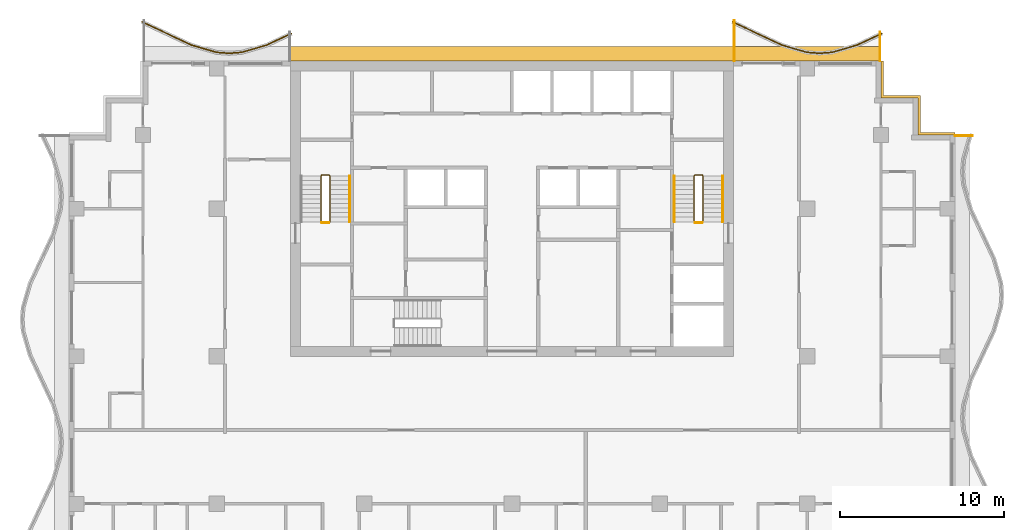
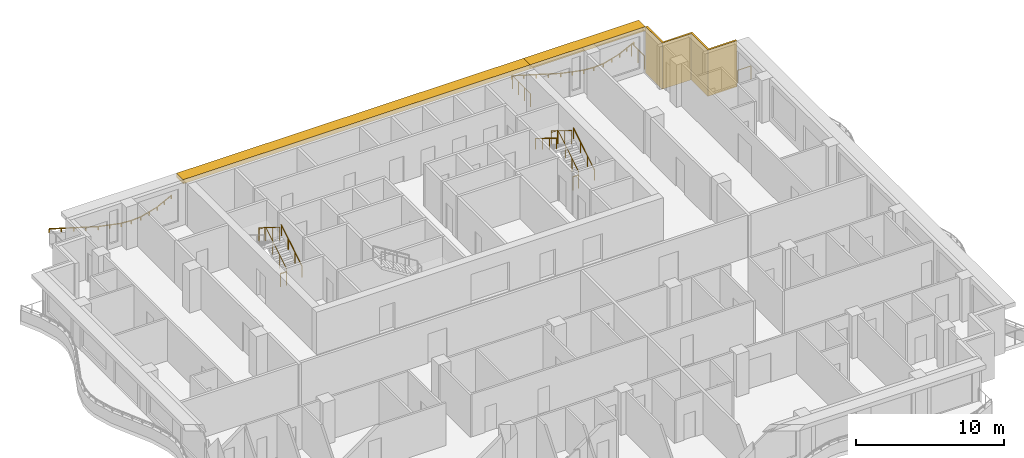
# One storey, part 11 of 11: 12 railings, 3 shading devices.
"""IFC4 building model written with IfcOpenShell, lengths in metres."""

import ifcopenshell
import ifcopenshell.guid

model = None  # the IFC model being written
_history = None  # IfcOwnerHistory: only IFC2X3 demands one
_inside = {}  # id of a spatial element -> (the spatial element, [elements in it])
_under = {}  # id of a project, library or spatial element -> (it, [spatial elements below it])
_declared = {}  # id of a project -> (the project, [libraries it declares])
_typed = {}  # id of a type object -> (the type object, [elements of that type])
_made_of = {}  # id of a material, layer set ... -> (it, [elements and type objects made of it])


def new_model(schema):
    """Start an empty IFC model of exactly this schema.

    Asked for "IFC4X3", IfcOpenShell would pick the latest addendum, in which some entities
    have other attributes; the version numbers below select the first issue.
    IFC2X3 requires an IfcOwnerHistory on every rooted entity: one is made here for all.
    """
    global model, _history
    if schema == "IFC4X3":
        model = ifcopenshell.file(schema_version=(4, 3, 0, 0))
    else:
        model = ifcopenshell.file(schema=schema)
    _inside.clear()
    _under.clear()
    _declared.clear()
    _typed.clear()
    _made_of.clear()
    _history = None
    if model.schema == "IFC2X3":
        org = make("IfcOrganization", Name="unknown")
        user = make(
            "IfcPersonAndOrganization",
            ThePerson=make("IfcPerson", FamilyName="unknown"),
            TheOrganization=org,
        )
        app = make(
            "IfcApplication",
            ApplicationDeveloper=org,
            Version="unknown",
            ApplicationFullName="unknown",
            ApplicationIdentifier="unknown",
        )
        _history = make(
            "IfcOwnerHistory",
            OwningUser=user,
            OwningApplication=app,
            ChangeAction="ADDED",
            CreationDate=0,
        )
    return model


def make(cls, **values):
    """One entity of the class cls with the attributes given. An attribute that is None is left unset."""
    return model.create_entity(
        cls, **{name: value for name, value in values.items() if value is not None}
    )


def rooted(cls, **values):
    """An entity with a GlobalId (a new one), such as an element, a storey or a relation."""
    return make(cls, GlobalId=ifcopenshell.guid.new(), OwnerHistory=_history, **values)


def si_unit(unit_type, name, prefix=None):
    """IfcSIUnit, for example si_unit("LENGTHUNIT", "METRE", prefix="MILLI")."""
    return make("IfcSIUnit", UnitType=unit_type, Prefix=prefix, Name=name)


def assignment(units):
    """IfcUnitAssignment: the units of a project."""
    return None if units is None else make("IfcUnitAssignment", Units=units)


def point(xyz):
    """IfcCartesianPoint."""
    return None if xyz is None else make("IfcCartesianPoint", Coordinates=xyz)


def direction(xyz):
    """IfcDirection."""
    return None if xyz is None else make("IfcDirection", DirectionRatios=xyz)


def frame(location, z_axis=None, x_axis=None):
    """IfcAxis2Placement3D, a coordinate frame: its origin and axes. An axis left out is left unset."""
    return make(
        "IfcAxis2Placement3D",
        Location=point(location),
        Axis=direction(z_axis),
        RefDirection=direction(x_axis),
    )


def frame_2d(location, x_axis=None):
    """IfcAxis2Placement2D, a coordinate frame in the plane: its origin and x axis."""
    return make(
        "IfcAxis2Placement2D", Location=point(location), RefDirection=direction(x_axis)
    )


def origin():
    """The frame at (0, 0, 0) with its axes left unset."""
    return frame((0.0, 0.0, 0.0))


def origin_2d():
    """The frame at (0, 0) in the plane with its x axis left unset."""
    return frame_2d((0.0, 0.0))


def place(relative_to, where):
    """IfcLocalPlacement: puts the frame where relative to a parent placement (None: the world)."""
    return make(
        "IfcLocalPlacement", PlacementRelTo=relative_to, RelativePlacement=where
    )


def context(
    kind, dimensions, precision=None, world=None, true_north=None, identifier=None
):
    """IfcGeometricRepresentationContext, for example the 3D "Model" context."""
    return make(
        "IfcGeometricRepresentationContext",
        ContextIdentifier=identifier,
        ContextType=kind,
        CoordinateSpaceDimension=dimensions,
        Precision=precision,
        WorldCoordinateSystem=world,
        TrueNorth=true_north,
    )


def subcontext(parent, identifier, kind, view, scale=None):
    """IfcGeometricRepresentationSubContext, for example "Body" below "Model"."""
    return make(
        "IfcGeometricRepresentationSubContext",
        ContextIdentifier=identifier,
        ContextType=kind,
        ParentContext=parent,
        TargetScale=scale,
        TargetView=view,
    )


def project(units=None, contexts=None):
    """IfcProject with its units and contexts."""
    return rooted(
        "IfcProject",
        Name="project",
        RepresentationContexts=contexts,
        UnitsInContext=assignment(units),
    )


def spatial(cls, under=None, at=None, **own):
    """A site, building, storey or space (cls), placed at a placement, below another one or the project."""
    s = rooted(cls, ObjectPlacement=at, **own)
    if under is not None:
        _under.setdefault(under.id(), (under, []))[1].append(s)
    return s


def polyline(points):
    """IfcPolyline through the points."""
    return make("IfcPolyline", Points=[point(p) for p in points])


def profile(cls, at=None, kind="AREA", **sizes):
    """A parametric profile (cls). Its sizes go by their IFC names, for example OverallWidth=200.0."""
    return make(cls, ProfileType=kind, Position=at, **sizes)


def rectangle(**sizes):
    """IfcRectangleProfileDef."""
    return profile("IfcRectangleProfileDef", **sizes)


def circle(**sizes):
    """IfcCircleProfileDef."""
    return profile("IfcCircleProfileDef", **sizes)


def outline(outer, holes=None, kind="AREA"):
    """IfcArbitraryClosedProfileDef: a profile drawn as a closed curve; with holes, ...WithVoids."""
    if holes is None:
        return make("IfcArbitraryClosedProfileDef", ProfileType=kind, OuterCurve=outer)
    return make(
        "IfcArbitraryProfileDefWithVoids",
        ProfileType=kind,
        OuterCurve=outer,
        InnerCurves=holes,
    )


def extrude(swept, where, along, depth):
    """IfcExtrudedAreaSolid: the profile swept, set in the frame where, extruded along a direction by depth."""
    return make(
        "IfcExtrudedAreaSolid",
        SweptArea=swept,
        Position=where,
        ExtrudedDirection=direction(along),
        Depth=depth,
    )


def shape(context_of_items, identifier, shape_type, items):
    """IfcShapeRepresentation: the items that make up one representation, for example the "Body"."""
    return make(
        "IfcShapeRepresentation",
        ContextOfItems=context_of_items,
        RepresentationIdentifier=identifier,
        RepresentationType=shape_type,
        Items=items,
    )


def material(Name=None, Category=None):
    """IfcMaterial."""
    return make("IfcMaterial", Name=Name, Category=Category)


def layer(
    of_material, thickness, ventilated=None, Name=None, Category=None, Priority=None
):
    """IfcMaterialLayer: one layer of a wall or slab, of a material (None: an air gap)."""
    return make(
        "IfcMaterialLayer",
        Material=of_material,
        LayerThickness=thickness,
        IsVentilated=ventilated,
        Name=Name,
        Category=Category,
        Priority=Priority,
    )


def layer_set(layers, Name=None):
    """IfcMaterialLayerSet."""
    return make("IfcMaterialLayerSet", MaterialLayers=layers, LayerSetName=Name)


def made_of(thing, what):
    """Note that an element or type object is made of a material, layer set ...; save() writes the relation."""
    if what is not None:
        _made_of.setdefault(what.id(), (what, []))[1].append(thing)
    return thing


def type_object(cls, material=None, **own):
    """A type object (cls), such as IfcWallType, which elements share."""
    return made_of(rooted(cls, **own), material)


def element(
    cls,
    number,
    at=None,
    inside=None,
    cuts=None,
    type_object=None,
    material=None,
    context=None,
    identifier="Body",
    shape_type=None,
    held_by="IfcProductDefinitionShape",
    body=None,
    shapes=None,
    **own,
):
    """One element of the class cls, such as IfcWall. Its Tag is "e" and its number.

    at: its placement. inside: the storey or other place that contains it. cuts: it is an
    opening in that element (IfcRelVoidsElement). A single representation is given by context,
    identifier, shape_type and body (its items); several are given by shapes. held_by: the class
    of the entity that holds the representations. save() writes the other relations.
    """
    e = rooted(cls, Tag="e%d" % number, ObjectPlacement=at, **own)
    if body is not None:
        shapes = [shape(context, identifier, shape_type, body)]
    if shapes is not None:
        e.Representation = make(held_by, Representations=shapes)
    if inside is not None:
        _inside.setdefault(inside.id(), (inside, []))[1].append(e)
    if cuts is not None:
        rooted(
            "IfcRelVoidsElement", RelatingBuildingElement=cuts, RelatedOpeningElement=e
        )
    if type_object is not None:
        _typed.setdefault(type_object.id(), (type_object, []))[1].append(e)
    return made_of(e, material)


def aggregate(whole, parts):
    """IfcRelAggregates: a whole, such as a stair, and the parts it consists of."""
    return rooted("IfcRelAggregates", RelatingObject=whole, RelatedObjects=parts)


def save(model, path):
    """Write the relations noted so far, then the file.

    IfcRelAggregates (storeys below a building ...), IfcRelContainedInSpatialStructure (elements
    in a storey), IfcRelDefinesByType, IfcRelAssociatesMaterial and IfcRelDeclares: one each for
    every whole, place, type object, material and project.
    """
    for whole, parts in _under.values():
        aggregate(whole, parts)
    for where, things in _inside.values():
        rooted(
            "IfcRelContainedInSpatialStructure",
            RelatedElements=things,
            RelatingStructure=where,
        )
    for kind, things in _typed.values():
        rooted("IfcRelDefinesByType", RelatedObjects=things, RelatingType=kind)
    for what, things in _made_of.values():
        rooted("IfcRelAssociatesMaterial", RelatedObjects=things, RelatingMaterial=what)
    for by, libraries in _declared.values():
        rooted("IfcRelDeclares", RelatingContext=by, RelatedDefinitions=libraries)
    model.write(path)


model = new_model("IFC4")

# Units and contexts
model_context = context("Model", 3, precision=1e-05, world=origin(), true_north=direction((0.0, 1.0)))
body_context = subcontext(model_context, "Body", "Model", "MODEL_VIEW")
ifc_project = project(units=[si_unit("LENGTHUNIT", "METRE"), si_unit("AREAUNIT", "SQUARE_METRE"), si_unit("VOLUMEUNIT", "CUBIC_METRE"), si_unit("PLANEANGLEUNIT", "RADIAN"), si_unit("MASSUNIT", "GRAM", prefix="KILO")], contexts=[model_context])

# Site, building, storey
site_placement = place(None, origin())
site = spatial("IfcSite", under=ifc_project, at=site_placement, CompositionType="ELEMENT")
building_placement = place(site_placement, origin())
building = spatial("IfcBuilding", under=site, at=building_placement, Name="Orbiselva Terraces", CompositionType="ELEMENT")
storey_placement = place(building_placement, frame((0.0, 0.0, 257.8)))
storey = spatial("IfcBuildingStorey", under=building, at=storey_placement, Name="L65", CompositionType="ELEMENT", Elevation=257.8)

# Railings
ifc_material_1 = material(Name="Stainless steel", Category="steel")
railing_type_1 = type_object("IfcRailingType", Name="CORE-GUARD-1100", PredefinedType="GUARDRAIL", material=ifc_material_1)
railing_1_placement = place(storey_placement, frame((-11.1, 12.7, 0.172727)))
element("IfcRailing", 1, at=railing_1_placement, inside=storey, type_object=railing_type_1, Name="L65 S1 stair guard 1", PredefinedType="GUARDRAIL", context=body_context, shape_type="SweptSolid", body=[
    extrude(circle(Radius=0.024, at=origin_2d()), frame((0.0, 0.0, 1.081), z_axis=(0.0, 0.851088519012, 0.52502222125), x_axis=(-1.0, 0.0, 0.0)), (0.0, 0.0, 1.0), 3.289905),
    extrude(circle(Radius=0.024, at=origin_2d()), frame((0.0, 2.8, 2.808273), z_axis=(-0.707106781187, 0.707106781187, 0.0), x_axis=(-0.707106781187, -0.707106781187, 0.0)), (0.0, 0.0, 1.0), 0.070711),
    extrude(circle(Radius=0.024, at=origin_2d()), frame((-0.05, 2.85, 2.808273), z_axis=(-1.0, 0.0, 0.0), x_axis=(0.0, -1.0, 0.0)), (0.0, 0.0, 1.0), 0.45),
    extrude(circle(Radius=0.024, at=origin_2d()), frame((-0.5, 2.85, 2.808273), z_axis=(-0.267894925557, -0.267894925557, 0.925453736133), x_axis=(0.707106781187, -0.707106781187, 0.0)), (0.0, 0.0, 1.0), 0.18664),
    extrude(circle(Radius=0.024, at=origin_2d()), frame((-0.55, 2.8, 2.981), z_axis=(0.0, -0.851088519012, 0.52502222125), x_axis=(1.0, 0.0, 0.0)), (0.0, 0.0, 1.0), 3.289905),
    extrude(circle(Radius=0.021, at=origin_2d()), origin(), (0.0, 0.0, 1.0), 1.057),
    extrude(circle(Radius=0.021, at=origin_2d()), frame((0.0, 0.933333, 0.575758)), (0.0, 0.0, 1.0), 1.057),
    extrude(circle(Radius=0.021, at=origin_2d()), frame((0.0, 1.866667, 1.151515)), (0.0, 0.0, 1.0), 1.057),
    extrude(circle(Radius=0.021, at=origin_2d()), frame((0.0, 2.8, 1.727273)), (0.0, 0.0, 1.0), 1.057),
    extrude(circle(Radius=0.021, at=origin_2d()), frame((-0.05, 2.85, 1.727273)), (0.0, 0.0, 1.0), 1.057),
    extrude(circle(Radius=0.021, at=origin_2d()), frame((-0.5, 2.85, 1.727273)), (0.0, 0.0, 1.0), 1.057),
    extrude(circle(Radius=0.021, at=origin_2d()), frame((-0.55, 2.8, 1.9)), (0.0, 0.0, 1.0), 1.057),
    extrude(circle(Radius=0.021, at=origin_2d()), frame((-0.55, 1.866667, 2.475758)), (0.0, 0.0, 1.0), 1.057),
    extrude(circle(Radius=0.021, at=origin_2d()), frame((-0.55, 0.933333, 3.051515)), (0.0, 0.0, 1.0), 1.057),
    extrude(circle(Radius=0.021, at=origin_2d()), frame((-0.55, 0.0, 3.627273)), (0.0, 0.0, 1.0), 1.057),
])
railing_2_placement = place(storey_placement, frame((-11.15, 12.65, 0.0)))
element("IfcRailing", 2, at=railing_2_placement, inside=storey, type_object=railing_type_1, Name="L65 S1 stair guard 2", PredefinedType="GUARDRAIL", context=body_context, shape_type="SweptSolid", body=[
    extrude(circle(Radius=0.024, at=origin_2d()), frame((0.0, 0.0, 1.081), z_axis=(-1.0, 0.0, 0.0), x_axis=(0.0, -1.0, 0.0)), (0.0, 0.0, 1.0), 0.45),
    extrude(circle(Radius=0.021, at=origin_2d()), origin(), (0.0, 0.0, 1.0), 1.057),
    extrude(circle(Radius=0.021, at=origin_2d()), frame((-0.45, 0.0, 0.0)), (0.0, 0.0, 1.0), 1.057),
])
railing_3_placement = place(storey_placement, frame((11.65, 12.7, 0.172727)))
element("IfcRailing", 3, at=railing_3_placement, inside=storey, type_object=railing_type_1, Name="L65 S2 stair guard 1", PredefinedType="GUARDRAIL", context=body_context, shape_type="SweptSolid", body=[
    extrude(circle(Radius=0.024, at=origin_2d()), frame((0.0, 0.0, 1.081), z_axis=(0.0, 0.851088519012, 0.52502222125), x_axis=(-1.0, 0.0, 0.0)), (0.0, 0.0, 1.0), 3.289905),
    extrude(circle(Radius=0.024, at=origin_2d()), frame((0.0, 2.8, 2.808273), z_axis=(-0.707106781187, 0.707106781187, 0.0), x_axis=(-0.707106781187, -0.707106781187, 0.0)), (0.0, 0.0, 1.0), 0.070711),
    extrude(circle(Radius=0.024, at=origin_2d()), frame((-0.05, 2.85, 2.808273), z_axis=(-1.0, 0.0, 0.0), x_axis=(0.0, -1.0, 0.0)), (0.0, 0.0, 1.0), 0.45),
    extrude(circle(Radius=0.024, at=origin_2d()), frame((-0.5, 2.85, 2.808273), z_axis=(-0.267894925557, -0.267894925557, 0.925453736133), x_axis=(0.707106781187, -0.707106781187, 0.0)), (0.0, 0.0, 1.0), 0.18664),
    extrude(circle(Radius=0.024, at=origin_2d()), frame((-0.55, 2.8, 2.981), z_axis=(0.0, -0.851088519012, 0.52502222125), x_axis=(1.0, 0.0, 0.0)), (0.0, 0.0, 1.0), 3.289905),
    extrude(circle(Radius=0.021, at=origin_2d()), origin(), (0.0, 0.0, 1.0), 1.057),
    extrude(circle(Radius=0.021, at=origin_2d()), frame((0.0, 0.933333, 0.575758)), (0.0, 0.0, 1.0), 1.057),
    extrude(circle(Radius=0.021, at=origin_2d()), frame((0.0, 1.866667, 1.151515)), (0.0, 0.0, 1.0), 1.057),
    extrude(circle(Radius=0.021, at=origin_2d()), frame((0.0, 2.8, 1.727273)), (0.0, 0.0, 1.0), 1.057),
    extrude(circle(Radius=0.021, at=origin_2d()), frame((-0.05, 2.85, 1.727273)), (0.0, 0.0, 1.0), 1.057),
    extrude(circle(Radius=0.021, at=origin_2d()), frame((-0.5, 2.85, 1.727273)), (0.0, 0.0, 1.0), 1.057),
    extrude(circle(Radius=0.021, at=origin_2d()), frame((-0.55, 2.8, 1.9)), (0.0, 0.0, 1.0), 1.057),
    extrude(circle(Radius=0.021, at=origin_2d()), frame((-0.55, 1.866667, 2.475758)), (0.0, 0.0, 1.0), 1.057),
    extrude(circle(Radius=0.021, at=origin_2d()), frame((-0.55, 0.933333, 3.051515)), (0.0, 0.0, 1.0), 1.057),
    extrude(circle(Radius=0.021, at=origin_2d()), frame((-0.55, 0.0, 3.627273)), (0.0, 0.0, 1.0), 1.057),
])
railing_4_placement = place(storey_placement, frame((11.6, 12.65, 0.0)))
element("IfcRailing", 4, at=railing_4_placement, inside=storey, type_object=railing_type_1, Name="L65 S2 stair guard 2", PredefinedType="GUARDRAIL", context=body_context, shape_type="SweptSolid", body=[
    extrude(circle(Radius=0.024, at=origin_2d()), frame((0.0, 0.0, 1.081), z_axis=(-1.0, 0.0, 0.0), x_axis=(0.0, -1.0, 0.0)), (0.0, 0.0, 1.0), 0.45),
    extrude(circle(Radius=0.021, at=origin_2d()), origin(), (0.0, 0.0, 1.0), 1.057),
    extrude(circle(Radius=0.021, at=origin_2d()), frame((-0.45, 0.0, 0.0)), (0.0, 0.0, 1.0), 1.057),
])
railing_type_2 = type_object("IfcRailingType", Name="CORE-HANDRAIL-900", PredefinedType="HANDRAIL", material=ifc_material_1)
for number, where, name in (
    (5, (-9.9, 12.7, 0.172727), "L65 S1 stair handrail 1"),
    (6, (12.85, 12.7, 0.172727), "L65 S2 stair handrail 1"),
):
    element("IfcRailing", number, at=place(storey_placement, frame(where)), inside=storey, type_object=railing_type_2, Name=name, PredefinedType="HANDRAIL", context=body_context, shape_type="SweptSolid", body=[
        extrude(circle(Radius=0.024, at=origin_2d()), frame((0.0, 0.0, 0.876), z_axis=(0.0, 0.851088519012, 0.52502222125), x_axis=(-1.0, 0.0, 0.0)), (0.0, 0.0, 1.0), 3.289905),
        extrude(circle(Radius=0.021, at=origin_2d()), origin(), (0.0, 0.0, 1.0), 0.852),
        extrude(circle(Radius=0.021, at=origin_2d()), frame((0.0, 0.933333, 0.575758)), (0.0, 0.0, 1.0), 0.852),
        extrude(circle(Radius=0.021, at=origin_2d()), frame((0.0, 1.866667, 1.151515)), (0.0, 0.0, 1.0), 0.852),
        extrude(circle(Radius=0.021, at=origin_2d()), frame((0.0, 2.8, 1.727273)), (0.0, 0.0, 1.0), 0.852),
    ])
railing_5_placement = place(storey_placement, frame((9.9, 15.5, 2.072727)))
element("IfcRailing", 7, at=railing_5_placement, inside=storey, type_object=railing_type_2, Name="L65 S2 stair handrail 2", PredefinedType="HANDRAIL", context=body_context, shape_type="SweptSolid", body=[
    extrude(circle(Radius=0.024, at=origin_2d()), frame((0.0, 0.0, 0.876), z_axis=(0.0, -0.851088519012, 0.52502222125), x_axis=(1.0, 0.0, 0.0)), (0.0, 0.0, 1.0), 3.289905),
    extrude(circle(Radius=0.021, at=origin_2d()), origin(), (0.0, 0.0, 1.0), 0.852),
    extrude(circle(Radius=0.021, at=origin_2d()), frame((0.0, -0.933333, 0.575758)), (0.0, 0.0, 1.0), 0.852),
    extrude(circle(Radius=0.021, at=origin_2d()), frame((0.0, -1.866667, 1.151515)), (0.0, 0.0, 1.0), 0.852),
    extrude(circle(Radius=0.021, at=origin_2d()), frame((0.0, -2.8, 1.727273)), (0.0, 0.0, 1.0), 0.852),
])
ifc_material_2 = material(Name="Bonded two-ply safety glass balustrade, stainless steel posts", Category="steel")
railing_type_3 = type_object("IfcRailingType", Name="ENV-BALUSTRADE-1200", PredefinedType="BALUSTRADE", material=ifc_material_2)
railing_6_placement = place(storey_placement, frame((22.553191, 24.186882, 0.9)))
element("IfcRailing", 8, at=railing_6_placement, inside=storey, type_object=railing_type_3, Name="Balcony balustrade L65 NE", PredefinedType="BALUSTRADE", context=body_context, shape_type="SweptSolid", body=[
    extrude(outline(polyline([(0.028868, 0.0), (0.014434, 0.025), (-0.014434, 0.025), (-0.028868, 0.0), (-0.014434, -0.025), (0.014434, -0.025), (0.028868, 0.0)])), frame((0.0, 0.0, 0.275), z_axis=(-0.904944157382, -0.425530342069, 0.0), x_axis=(0.425530342069, -0.904944157382, 0.0)), (0.0, 0.0, 1.0), 1.667376),
    extrude(outline(polyline([(0.028868, 0.0), (0.014434, 0.025), (-0.014434, 0.025), (-0.028868, 0.0), (-0.014434, -0.025), (0.014434, -0.025), (0.028868, 0.0)])), frame((-1.508882, -0.709519, 0.275), z_axis=(-0.960270491427, -0.279070928786, 0.0), x_axis=(0.279070928786, -0.960270491427, 0.0)), (0.0, 0.0, 1.0), 1.584712),
    extrude(outline(polyline([(0.028868, 0.0), (0.014434, 0.025), (-0.014434, 0.025), (-0.028868, 0.0), (-0.014434, -0.025), (0.014434, -0.025), (0.028868, 0.0)])), frame((-3.030634, -1.151766, 0.275), z_axis=(-0.996947796737, -0.078071061106, 0.0), x_axis=(0.078071061106, -0.996947796737, 0.0)), (0.0, 0.0, 1.0), 0.774922),
    extrude(outline(polyline([(0.028868, 0.0), (0.014434, 0.025), (-0.014434, 0.025), (-0.028868, 0.0), (-0.014434, -0.025), (0.014434, -0.025), (0.028868, 0.0)])), frame((-3.803191, -1.212265, 0.275), z_axis=(-0.996947796737, 0.078071061106, 0.0), x_axis=(-0.078071061106, -0.996947796737, 0.0)), (0.0, 0.0, 1.0), 0.774922),
    extrude(outline(polyline([(0.028868, 0.0), (0.014434, 0.025), (-0.014434, 0.025), (-0.028868, 0.0), (-0.014434, -0.025), (0.014434, -0.025), (0.028868, 0.0)])), frame((-4.575748, -1.151766, 0.275), z_axis=(-0.960270491427, 0.279070928786, 0.0), x_axis=(-0.279070928786, -0.960270491427, 0.0)), (0.0, 0.0, 1.0), 1.584712),
    extrude(outline(polyline([(0.028868, 0.0), (0.014434, 0.025), (-0.014434, 0.025), (-0.028868, 0.0), (-0.014434, -0.025), (0.014434, -0.025), (0.028868, 0.0)])), frame((-6.0975, -0.709519, 0.275), z_axis=(-0.904944157382, 0.425530342069, 0.0), x_axis=(-0.425530342069, -0.904944157382, 0.0)), (0.0, 0.0, 1.0), 1.667376),
    extrude(outline(polyline([(0.028868, 0.0), (0.014434, 0.025), (-0.014434, 0.025), (-0.028868, 0.0), (-0.014434, -0.025), (0.014434, -0.025), (0.028868, 0.0)])), frame((-7.606382, 0.0, 0.275), z_axis=(-0.904944257823, 0.425530128467, 0.0), x_axis=(-0.425530128467, -0.904944257823, 0.0)), (0.0, 0.0, 1.0), 1.657561),
    extrude(rectangle(XDim=0.05, YDim=0.05, at=origin_2d()), origin(), (0.0, 0.0, 1.0), 0.25),
    extrude(rectangle(XDim=0.05, YDim=0.05, at=origin_2d()), frame((-0.754441, -0.35476, 0.0)), (0.0, 0.0, 1.0), 0.25),
    extrude(rectangle(XDim=0.05, YDim=0.05, at=origin_2d()), frame((-1.508882, -0.709519, 0.0)), (0.0, 0.0, 1.0), 0.25),
    extrude(rectangle(XDim=0.05, YDim=0.05, at=origin_2d()), frame((-2.269758, -0.930643, 0.0)), (0.0, 0.0, 1.0), 0.25),
    extrude(rectangle(XDim=0.05, YDim=0.05, at=origin_2d()), frame((-3.030634, -1.151766, 0.0)), (0.0, 0.0, 1.0), 0.25),
    extrude(rectangle(XDim=0.05, YDim=0.05, at=origin_2d()), frame((-3.803191, -1.212265, 0.0)), (0.0, 0.0, 1.0), 0.25),
    extrude(rectangle(XDim=0.05, YDim=0.05, at=origin_2d()), frame((-4.575748, -1.151766, 0.0)), (0.0, 0.0, 1.0), 0.25),
    extrude(rectangle(XDim=0.05, YDim=0.05, at=origin_2d()), frame((-5.336624, -0.930643, 0.0)), (0.0, 0.0, 1.0), 0.25),
    extrude(rectangle(XDim=0.05, YDim=0.05, at=origin_2d()), frame((-6.0975, -0.709519, 0.0)), (0.0, 0.0, 1.0), 0.25),
    extrude(rectangle(XDim=0.05, YDim=0.05, at=origin_2d()), frame((-6.851941, -0.35476, 0.0)), (0.0, 0.0, 1.0), 0.25),
    extrude(rectangle(XDim=0.05, YDim=0.05, at=origin_2d()), frame((-7.606382, 0.0, 0.0)), (0.0, 0.0, 1.0), 0.25),
    extrude(rectangle(XDim=0.05, YDim=0.05, at=origin_2d()), frame((-8.356382, 0.352671, 0.0)), (0.0, 0.0, 1.0), 0.25),
    extrude(rectangle(XDim=0.05, YDim=0.05, at=origin_2d()), frame((-9.106382, 0.705342, 0.0)), (0.0, 0.0, 1.0), 0.25),
])
railing_7_placement = place(storey_placement, frame((-13.446809, 24.186882, 0.9)))
element("IfcRailing", 9, at=railing_7_placement, inside=storey, type_object=railing_type_3, Name="Balcony balustrade L65 NW", PredefinedType="BALUSTRADE", context=body_context, shape_type="SweptSolid", body=[
    extrude(outline(polyline([(0.028868, 0.0), (0.014434, 0.025), (-0.014434, 0.025), (-0.028868, 0.0), (-0.014434, -0.025), (0.014434, -0.025), (0.028868, 0.0)])), frame((0.0, 0.0, 0.275), z_axis=(-0.904944157382, -0.425530342069, 0.0), x_axis=(0.425530342069, -0.904944157382, 0.0)), (0.0, 0.0, 1.0), 1.667376),
    extrude(outline(polyline([(0.028868, 0.0), (0.014434, 0.025), (-0.014434, 0.025), (-0.028868, 0.0), (-0.014434, -0.025), (0.014434, -0.025), (0.028868, 0.0)])), frame((-1.508882, -0.709519, 0.275), z_axis=(-0.960270491427, -0.279070928786, 0.0), x_axis=(0.279070928786, -0.960270491427, 0.0)), (0.0, 0.0, 1.0), 1.584712),
    extrude(outline(polyline([(0.028868, 0.0), (0.014434, 0.025), (-0.014434, 0.025), (-0.028868, 0.0), (-0.014434, -0.025), (0.014434, -0.025), (0.028868, 0.0)])), frame((-3.030634, -1.151766, 0.275), z_axis=(-0.996947796737, -0.078071061106, 0.0), x_axis=(0.078071061106, -0.996947796737, 0.0)), (0.0, 0.0, 1.0), 0.774922),
    extrude(outline(polyline([(0.028868, 0.0), (0.014434, 0.025), (-0.014434, 0.025), (-0.028868, 0.0), (-0.014434, -0.025), (0.014434, -0.025), (0.028868, 0.0)])), frame((-3.803191, -1.212265, 0.275), z_axis=(-0.996947796737, 0.078071061106, 0.0), x_axis=(-0.078071061106, -0.996947796737, 0.0)), (0.0, 0.0, 1.0), 0.774922),
    extrude(outline(polyline([(0.028868, 0.0), (0.014434, 0.025), (-0.014434, 0.025), (-0.028868, 0.0), (-0.014434, -0.025), (0.014434, -0.025), (0.028868, 0.0)])), frame((-4.575748, -1.151766, 0.275), z_axis=(-0.960270491427, 0.279070928786, 0.0), x_axis=(-0.279070928786, -0.960270491427, 0.0)), (0.0, 0.0, 1.0), 1.584712),
    extrude(outline(polyline([(0.028868, 0.0), (0.014434, 0.025), (-0.014434, 0.025), (-0.028868, 0.0), (-0.014434, -0.025), (0.014434, -0.025), (0.028868, 0.0)])), frame((-6.0975, -0.709519, 0.275), z_axis=(-0.904944157382, 0.425530342069, 0.0), x_axis=(-0.425530342069, -0.904944157382, 0.0)), (0.0, 0.0, 1.0), 1.667376),
    extrude(outline(polyline([(0.028868, 0.0), (0.014434, 0.025), (-0.014434, 0.025), (-0.028868, 0.0), (-0.014434, -0.025), (0.014434, -0.025), (0.028868, 0.0)])), frame((-7.606382, 0.0, 0.275), z_axis=(-0.904944257823, 0.425530128467, 0.0), x_axis=(-0.425530128467, -0.904944257823, 0.0)), (0.0, 0.0, 1.0), 1.657561),
    extrude(rectangle(XDim=0.05, YDim=0.05, at=origin_2d()), origin(), (0.0, 0.0, 1.0), 0.25),
    extrude(rectangle(XDim=0.05, YDim=0.05, at=origin_2d()), frame((-0.754441, -0.35476, 0.0)), (0.0, 0.0, 1.0), 0.25),
    extrude(rectangle(XDim=0.05, YDim=0.05, at=origin_2d()), frame((-1.508882, -0.709519, 0.0)), (0.0, 0.0, 1.0), 0.25),
    extrude(rectangle(XDim=0.05, YDim=0.05, at=origin_2d()), frame((-2.269758, -0.930643, 0.0)), (0.0, 0.0, 1.0), 0.25),
    extrude(rectangle(XDim=0.05, YDim=0.05, at=origin_2d()), frame((-3.030634, -1.151766, 0.0)), (0.0, 0.0, 1.0), 0.25),
    extrude(rectangle(XDim=0.05, YDim=0.05, at=origin_2d()), frame((-3.803191, -1.212265, 0.0)), (0.0, 0.0, 1.0), 0.25),
    extrude(rectangle(XDim=0.05, YDim=0.05, at=origin_2d()), frame((-4.575748, -1.151766, 0.0)), (0.0, 0.0, 1.0), 0.25),
    extrude(rectangle(XDim=0.05, YDim=0.05, at=origin_2d()), frame((-5.336624, -0.930643, 0.0)), (0.0, 0.0, 1.0), 0.25),
    extrude(rectangle(XDim=0.05, YDim=0.05, at=origin_2d()), frame((-6.0975, -0.709519, 0.0)), (0.0, 0.0, 1.0), 0.25),
    extrude(rectangle(XDim=0.05, YDim=0.05, at=origin_2d()), frame((-6.851941, -0.35476, 0.0)), (0.0, 0.0, 1.0), 0.25),
    extrude(rectangle(XDim=0.05, YDim=0.05, at=origin_2d()), frame((-7.606382, 0.0, 0.0)), (0.0, 0.0, 1.0), 0.25),
    extrude(rectangle(XDim=0.05, YDim=0.05, at=origin_2d()), frame((-8.356382, 0.352671, 0.0)), (0.0, 0.0, 1.0), 0.25),
    extrude(rectangle(XDim=0.05, YDim=0.05, at=origin_2d()), frame((-9.106382, 0.705342, 0.0)), (0.0, 0.0, 1.0), 0.25),
])
ifc_material_3 = material(Name="Stainless steel rail and posts", Category="steel")
railing_type_4 = type_object("IfcRailingType", Name="ENV-GUARD-1105", PredefinedType="BALUSTRADE", material=ifc_material_3)
railing_8_placement = place(storey_placement, frame((28.070484, 17.94, 0.0)))
element("IfcRailing", 10, at=railing_8_placement, inside=storey, type_object=railing_type_4, Name="Balcony end guard L65 E", PredefinedType="BALUSTRADE", context=body_context, shape_type="SweptSolid", body=[
    extrude(outline(polyline([(0.028868, 0.0), (0.014434, 0.025), (-0.014434, 0.025), (-0.028868, 0.0), (-0.014434, -0.025), (0.014434, -0.025), (0.028868, 0.0)])), frame((0.0, 0.0, 1.08), z_axis=(-1.0, 0.0, 0.0), x_axis=(0.0, -1.0, 0.0)), (0.0, 0.0, 1.0), 1.045484),
    extrude(rectangle(XDim=0.05, YDim=0.05, at=origin_2d()), origin(), (0.0, 0.0, 1.0), 1.055),
    extrude(rectangle(XDim=0.05, YDim=0.05, at=origin_2d()), frame((-1.045484, 0.0, 0.0)), (0.0, 0.0, 1.0), 1.055),
])
railing_9_placement = place(storey_placement, frame((22.44, 24.269844, 0.0)))
element("IfcRailing", 11, at=railing_9_placement, inside=storey, type_object=railing_type_4, Name="Balcony end guard L65 NE", PredefinedType="BALUSTRADE", context=body_context, shape_type="SweptSolid", body=[
    extrude(outline(polyline([(0.028868, 0.0), (0.014434, 0.025), (-0.014434, 0.025), (-0.028868, 0.0), (-0.014434, -0.025), (0.014434, -0.025), (0.028868, 0.0)])), frame((0.0, 0.0, 1.08), z_axis=(0.0, -1.0, 0.0), x_axis=(1.0, 0.0, 0.0)), (0.0, 0.0, 1.0), 1.744844),
    extrude(rectangle(XDim=0.05, YDim=0.05, at=origin_2d()), origin(), (0.0, 0.0, 1.0), 1.055),
    extrude(rectangle(XDim=0.05, YDim=0.05, at=origin_2d()), frame((0.0, -0.872422, 0.0)), (0.0, 0.0, 1.0), 1.055),
    extrude(rectangle(XDim=0.05, YDim=0.05, at=origin_2d()), frame((0.0, -1.744844, 0.0)), (0.0, 0.0, 1.0), 1.055),
])
railing_10_placement = place(storey_placement, frame((13.56, 24.980723, 0.0)))
element("IfcRailing", 12, at=railing_10_placement, inside=storey, type_object=railing_type_4, Name="Balcony end guard L65 NE", PredefinedType="BALUSTRADE", context=body_context, shape_type="SweptSolid", body=[
    extrude(outline(polyline([(0.028868, 0.0), (0.014434, 0.025), (-0.014434, 0.025), (-0.028868, 0.0), (-0.014434, -0.025), (0.014434, -0.025), (0.028868, 0.0)])), frame((0.0, 0.0, 1.08), z_axis=(0.0, -1.0, 0.0), x_axis=(1.0, 0.0, 0.0)), (0.0, 0.0, 1.0), 2.455723),
    extrude(rectangle(XDim=0.05, YDim=0.05, at=origin_2d()), origin(), (0.0, 0.0, 1.0), 1.055),
    extrude(rectangle(XDim=0.05, YDim=0.05, at=origin_2d()), frame((0.0, -0.818574, 0.0)), (0.0, 0.0, 1.0), 1.055),
    extrude(rectangle(XDim=0.05, YDim=0.05, at=origin_2d()), frame((0.0, -1.637149, 0.0)), (0.0, 0.0, 1.0), 1.055),
    extrude(rectangle(XDim=0.05, YDim=0.05, at=origin_2d()), frame((0.0, -2.455723, 0.0)), (0.0, 0.0, 1.0), 1.055),
])

# Shading devices
ifc_material_4 = material(Name="Terracotta louvre screen", Category="masonry")
ifc_layer_1 = layer(ifc_material_4, 0.15)
ifc_layer_set_1 = layer_set([ifc_layer_1], Name="Terracotta louvre screen")
shading_device_type_1 = type_object("IfcShadingDeviceType", Name="ENV-SCREEN-150", PredefinedType="USERDEFINED", material=ifc_layer_set_1)
shading_device_1_placement = place(storey_placement, frame((0.0, 0.0, -0.3)))
element("IfcShadingDevice", 13, at=shading_device_1_placement, inside=storey, type_object=shading_device_type_1, Name="Louvre screen L65 NE", ObjectType="SCREEN", PredefinedType="USERDEFINED", context=body_context, shape_type="SweptSolid", body=[
    extrude(outline(polyline([(27.0, 18.15), (24.9, 18.15), (24.9, 20.4), (22.65, 20.4), (22.65, 22.5), (22.5, 22.5), (22.5, 20.25), (24.75, 20.25), (24.75, 18.0), (27.0, 18.0), (27.0, 18.15)])), origin(), (0.0, 0.0, 1.0), 3.8),
])
ifc_material_5 = material(Name="Terracotta baguette sunshade", Category="masonry")
ifc_layer_2 = layer(ifc_material_5, 0.35)
ifc_layer_set_2 = layer_set([ifc_layer_2], Name="Terracotta baguette sunshade")
shading_device_type_2 = type_object("IfcShadingDeviceType", Name="ENV-SUNSHADE-900x350", PredefinedType="USERDEFINED", material=ifc_layer_set_2)
shading_device_2_placement = place(storey_placement, frame((0.0, 0.0, 3.15)))
element("IfcShadingDevice", 14, at=shading_device_2_placement, inside=storey, type_object=shading_device_type_2, Name="Sunshade band L65 NE", ObjectType="SUNSHADE", PredefinedType="USERDEFINED", context=body_context, shape_type="SweptSolid", body=[
    extrude(outline(polyline([(22.5, 23.4), (13.5, 23.4), (13.5, 22.5), (22.5, 22.5), (22.5, 23.4)])), origin(), (0.0, 0.0, 1.0), 0.35),
])
shading_device_3_placement = place(storey_placement, frame((0.0, 0.0, 3.15)))
element("IfcShadingDevice", 15, at=shading_device_3_placement, inside=storey, type_object=shading_device_type_2, Name="Sunshade band L65 CORE NORTH", ObjectType="SUNSHADE", PredefinedType="USERDEFINED", context=body_context, shape_type="SweptSolid", body=[
    extrude(outline(polyline([(13.5, 23.4), (-13.5, 23.4), (-13.5, 22.5), (13.5, 22.5), (13.5, 23.4)])), origin(), (0.0, 0.0, 1.0), 0.35),
])

save(model, "model.ifc")
